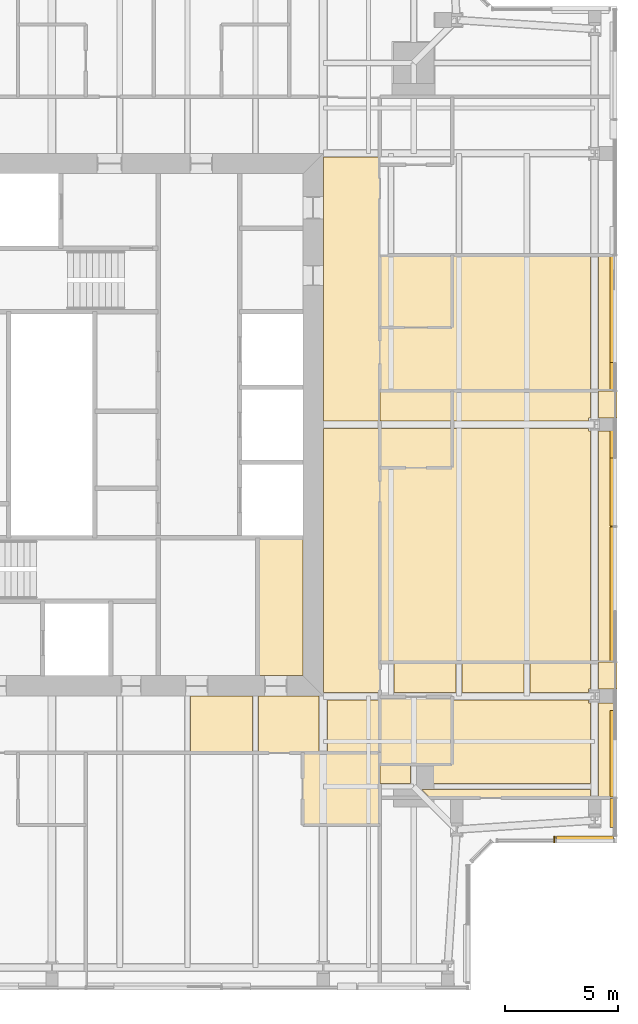
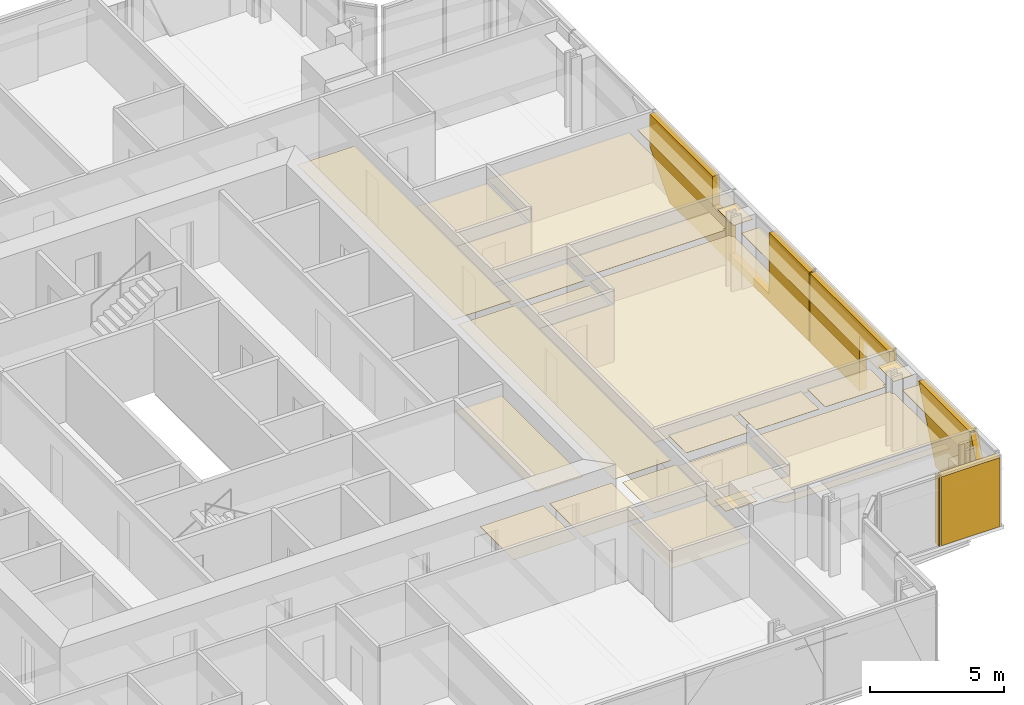
# One storey, part 18 of 20: 32 coverings.
"""IFC4 building model written with IfcOpenShell, lengths in metres."""

from ifc_helpers import new_model, si_unit, direction, frame, origin, place, context, subcontext, project, spatial, polyline, outline, extrude, material, layer, layer_set, type_object, element, save


model = new_model("IFC4")

# Units and contexts
model_context = context("Model", 3, precision=1e-05, world=origin(), true_north=direction((0.0, 1.0)))
body_context = subcontext(model_context, "Body", "Model", "MODEL_VIEW")
ifc_project = project(units=[si_unit("LENGTHUNIT", "METRE"), si_unit("AREAUNIT", "SQUARE_METRE"), si_unit("VOLUMEUNIT", "CUBIC_METRE"), si_unit("PLANEANGLEUNIT", "RADIAN"), si_unit("MASSUNIT", "GRAM", prefix="KILO")], contexts=[model_context])

# Site, building, storey
site_placement = place(None, origin())
site = spatial("IfcSite", under=ifc_project, at=site_placement, CompositionType="ELEMENT")
building_placement = place(site_placement, origin())
building = spatial("IfcBuilding", under=site, at=building_placement, Name="Fenwick Lantern Interchange", CompositionType="ELEMENT")
storey_placement = place(building_placement, frame((0.0, 0.0, 286.60009765625)))
storey = spatial("IfcBuildingStorey", under=building, at=storey_placement, Name="L69", CompositionType="ELEMENT", Elevation=286.60009765625)

# Coverings
ifc_material_1 = material(Name="Granite cladding, warm grey flamed finish, on aluminium carrier frame", Category="masonry")
ifc_layer_1 = layer(ifc_material_1, 0.300048828125)
ifc_layer_set_1 = layer_set([ifc_layer_1], Name="BRACE CASING PANEL 300")
covering_type_1 = type_object("IfcCoveringType", Name="BRACE CASING PANEL 300", PredefinedType="CLADDING", material=ifc_layer_set_1)
covering_1_placement = place(storey_placement, frame((44.45849609375, 6.60009765625, 0.0), z_axis=(0.0, 0.0, 1.0), x_axis=(1.0, 0.0, 0.0)))
element("IfcCovering", 1, at=covering_1_placement, inside=storey, type_object=covering_type_1, Name="Brace casing 04 bay 00a", PredefinedType="CLADDING", context=body_context, shape_type="SweptSolid", body=[
    extrude(outline(polyline([(2.741455078125, 0.0), (2.790771484375, 0.0), (2.790771484375, 3.14990234375), (2.741455078125, 3.14990234375), (2.741455078125, 0.0)])), frame((0.0, 0.2099609375, 0.0), z_axis=(0.0, -1.0, 0.0), x_axis=(1.0, 0.0, 0.0)), (0.0, 0.0, 1.0), 0.300048828125),
])
covering_2_placement = place(storey_placement, frame((44.45849609375, 6.60009765625, 0.0), z_axis=(0.0, 0.0, 1.0), x_axis=(1.0, 0.0, 0.0)))
element("IfcCovering", 2, at=covering_2_placement, inside=storey, type_object=covering_type_1, Name="Brace casing 04 bay 01a", PredefinedType="CLADDING", context=body_context, shape_type="SweptSolid", body=[
    extrude(outline(polyline([(2.850830078125, 0.0), (5.38134765625, 0.0), (5.38134765625, 3.14990234375), (2.850830078125, 3.14990234375), (2.850830078125, 0.0)])), frame((0.0, 0.2099609375, 0.0), z_axis=(0.0, -1.0, 0.0), x_axis=(1.0, 0.0, 0.0)), (0.0, 0.0, 1.0), 0.300048828125),
])
covering_3_placement = place(storey_placement, frame((49.89990234375, 6.60009765625, 0.0), z_axis=(0.0, 0.0, 1.0), x_axis=(0.0, 1.0, 0.0)))
element("IfcCovering", 3, at=covering_3_placement, inside=storey, type_object=covering_type_1, Name="Brace casing 05 bay 00a", PredefinedType="CLADDING", context=body_context, shape_type="SweptSolid", body=[
    extrude(outline(polyline([(0.58984375, 0.0), (1.8701171875, 0.0), (1.8701171875, 3.138427734375), (0.58984375, 0.0)])), frame((0.0, 0.2099609375, 0.0), z_axis=(0.0, -1.0, 0.0), x_axis=(1.0, 0.0, 0.0)), (0.0, 0.0, 1.0), 0.300048828125),
])
covering_4_placement = place(storey_placement, frame((49.89990234375, 6.60009765625, 0.0), z_axis=(0.0, 0.0, 1.0), x_axis=(0.0, 1.0, 0.0)))
element("IfcCovering", 4, at=covering_4_placement, inside=storey, type_object=covering_type_1, Name="Brace casing 05 bay 01a", PredefinedType="CLADDING", context=body_context, shape_type="SweptSolid", body=[
    extrude(outline(polyline([(1.929931640625, 0.0), (4.477783203125, 0.0), (5.7626953125, 3.14990234375), (1.929931640625, 3.14990234375), (1.929931640625, 0.0)])), frame((0.0, 0.2099609375, 0.0), z_axis=(0.0, -1.0, 0.0), x_axis=(1.0, 0.0, 0.0)), (0.0, 0.0, 1.0), 0.300048828125),
])
covering_5_placement = place(storey_placement, frame((49.89990234375, 6.60009765625, 0.0), z_axis=(0.0, 0.0, 1.0), x_axis=(0.0, 1.0, 0.0)))
element("IfcCovering", 5, at=covering_5_placement, inside=storey, type_object=covering_type_1, Name="Brace casing 05 bay 02a", PredefinedType="CLADDING", context=body_context, shape_type="SweptSolid", body=[
    extrude(outline(polyline([(10.179931640625, 0.0), (13.8701171875, 0.0), (13.8701171875, 3.14990234375), (7.929931640625, 3.14990234375), (7.929931640625, 2.5234375), (10.179931640625, 2.5234375), (10.179931640625, 0.0)])), frame((0.0, 0.2099609375, 0.0), z_axis=(0.0, -1.0, 0.0), x_axis=(1.0, 0.0, 0.0)), (0.0, 0.0, 1.0), 0.300048828125),
])
covering_6_placement = place(storey_placement, frame((49.89990234375, 6.60009765625, 0.0), z_axis=(0.0, 0.0, 1.0), x_axis=(0.0, 1.0, 0.0)))
element("IfcCovering", 6, at=covering_6_placement, inside=storey, type_object=covering_type_1, Name="Brace casing 05 bay 03a", PredefinedType="CLADDING", context=body_context, shape_type="SweptSolid", body=[
    extrude(outline(polyline([(13.929931640625, 0.0), (19.8701171875, 0.0), (19.8701171875, 0.357421875), (16.926513671875, 0.357421875), (16.926513671875, 3.14990234375), (13.929931640625, 3.14990234375), (13.929931640625, 0.0)])), frame((0.0, 0.2099609375, 0.0), z_axis=(0.0, -1.0, 0.0), x_axis=(1.0, 0.0, 0.0)), (0.0, 0.0, 1.0), 0.300048828125),
])
covering_7_placement = place(storey_placement, frame((49.89990234375, 6.60009765625, 0.0), z_axis=(0.0, 0.0, 1.0), x_axis=(0.0, 1.0, 0.0)))
element("IfcCovering", 7, at=covering_7_placement, inside=storey, type_object=covering_type_1, Name="Brace casing 05 bay 04a", PredefinedType="CLADDING", context=body_context, shape_type="SweptSolid", body=[
    extrude(outline(polyline([(19.929931640625, 0.0), (24.374267578125, 0.0), (25.8701171875, 1.6806640625), (25.8701171875, 3.14990234375), (21.14501953125, 3.14990234375), (21.14501953125, 1.786376953125), (19.929931640625, 1.786376953125), (19.929931640625, 0.0)])), frame((0.0, 0.2099609375, 0.0), z_axis=(0.0, -1.0, 0.0), x_axis=(1.0, 0.0, 0.0)), (0.0, 0.0, 1.0), 0.300048828125),
])
ifc_material_2 = material(Name="Moisture resistant gypsum board on suspended frame, painted")
ifc_layer_2 = layer(ifc_material_2, 0.014892578125)
ifc_layer_set_2 = layer_set([ifc_layer_2], Name="MOISTURE RESISTANT CEILING 15")
covering_type_2 = type_object("IfcCoveringType", Name="MOISTURE RESISTANT CEILING 15", PredefinedType="CEILING", material=ifc_layer_set_2)
covering_8_placement = place(storey_placement, frame((0.0, 0.0, 2.599853515625)))
element("IfcCovering", 8, at=covering_8_placement, inside=storey, type_object=covering_type_2, Name="Men's WC ceiling", PredefinedType="CEILING", context=body_context, shape_type="SweptSolid", body=[
    extrude(outline(polyline([(34.10009765625, 13.89990234375), (36.10009765625, 13.89990234375), (36.10009765625, 20.0), (34.10009765625, 20.0), (34.10009765625, 13.89990234375)])), origin(), (0.0, 0.0, 1.0), 0.01513671875),
])
covering_9_placement = place(storey_placement, frame((0.0, 0.0, 2.39990234375)))
element("IfcCovering", 9, at=covering_9_placement, inside=storey, type_object=covering_type_2, Name="En-suite 6903 ceiling", PredefinedType="CEILING", context=body_context, shape_type="SweptSolid", body=[
    extrude(outline(polyline([(36.10009765625, 7.300048828125), (39.5, 7.300048828125), (39.5, 10.5), (36.10009765625, 10.5), (36.10009765625, 7.300048828125)])), origin(), (0.0, 0.0, 1.0), 0.014892578125),
])
covering_10_placement = place(storey_placement, frame((0.0, 0.0, 2.39990234375)))
element("IfcCovering", 10, at=covering_10_placement, inside=storey, type_object=covering_type_2, Name="En-suite 6904 ceiling", PredefinedType="CEILING", context=body_context, shape_type="SweptSolid", body=[
    extrude(outline(polyline([(42.699951171875, 9.97509765625), (42.699951171875, 12.97509765625), (39.5, 12.97509765625), (39.5, 9.97509765625), (42.699951171875, 9.97509765625)])), origin(), (0.0, 0.0, 1.0), 0.014892578125),
])
covering_11_placement = place(storey_placement, frame((0.0, 0.0, 2.39990234375)))
element("IfcCovering", 11, at=covering_11_placement, inside=storey, type_object=covering_type_2, Name="En-suite 6905 ceiling", PredefinedType="CEILING", context=body_context, shape_type="SweptSolid", body=[
    extrude(outline(polyline([(42.699951171875, 23.10009765625), (42.699951171875, 24.824951171875), (39.5, 24.824951171875), (39.5, 23.10009765625), (42.699951171875, 23.10009765625)])), origin(), (0.0, 0.0, 1.0), 0.014892578125),
])
covering_12_placement = place(storey_placement, frame((0.0, 0.0, 2.39990234375)))
element("IfcCovering", 12, at=covering_12_placement, inside=storey, type_object=covering_type_2, Name="En-suite 6905 ceiling", PredefinedType="CEILING", context=body_context, shape_type="SweptSolid", body=[
    extrude(outline(polyline([(39.5, 26.5), (39.5, 25.175048828125), (42.699951171875, 25.175048828125), (42.699951171875, 26.5), (39.5, 26.5)])), origin(), (0.0, 0.0, 1.0), 0.014892578125),
])
covering_13_placement = place(storey_placement, frame((0.0, 0.0, 2.39990234375)))
element("IfcCovering", 13, at=covering_13_placement, inside=storey, type_object=covering_type_2, Name="En-suite 6906 ceiling", PredefinedType="CEILING", context=body_context, shape_type="SweptSolid", body=[
    extrude(outline(polyline([(42.699951171875, 29.300048828125), (42.699951171875, 32.5), (39.5, 32.5), (39.5, 29.300048828125), (42.699951171875, 29.300048828125)])), origin(), (0.0, 0.0, 1.0), 0.014892578125),
])
ifc_material_3 = material(Name="Gypsum plasterboard on suspended frame, painted")
ifc_layer_3 = layer(ifc_material_3, 0.014892578125)
ifc_layer_set_3 = layer_set([ifc_layer_3], Name="PLASTERBOARD CEILING 15")
covering_type_3 = type_object("IfcCoveringType", Name="PLASTERBOARD CEILING 15", PredefinedType="CEILING", material=ifc_layer_set_3)
covering_14_placement = place(storey_placement, frame((0.0, 0.0, 2.599853515625)))
element("IfcCovering", 14, at=covering_14_placement, inside=storey, type_object=covering_type_3, Name="Corridor ceiling", PredefinedType="CEILING", context=body_context, shape_type="SweptSolid", body=[
    extrude(outline(polyline([(39.5, 25.175048828125), (39.5, 36.833984375), (37.0, 36.833984375), (37.0, 25.175048828125), (39.5, 25.175048828125)])), origin(), (0.0, 0.0, 1.0), 0.01513671875),
])
covering_15_placement = place(storey_placement, frame((0.0, 0.0, 2.599853515625)))
element("IfcCovering", 15, at=covering_15_placement, inside=storey, type_object=covering_type_3, Name="Corridor ceiling", PredefinedType="CEILING", context=body_context, shape_type="SweptSolid", body=[
    extrude(outline(polyline([(39.5, 13.166015625), (39.5, 24.824951171875), (37.0, 24.824951171875), (37.0, 13.166015625), (39.5, 13.166015625)])), origin(), (0.0, 0.0, 1.0), 0.01513671875),
])
covering_16_placement = place(storey_placement, frame((0.0, 0.0, 2.599853515625)))
element("IfcCovering", 16, at=covering_16_placement, inside=storey, type_object=covering_type_3, Name="Corridor ceiling", PredefinedType="CEILING", context=body_context, shape_type="SweptSolid", body=[
    extrude(outline(polyline([(31.134521484375, 10.5), (33.865478515625, 10.5), (33.865478515625, 13.0), (31.134521484375, 13.0), (31.134521484375, 10.5)])), origin(), (0.0, 0.0, 1.0), 0.01513671875),
])
covering_17_placement = place(storey_placement, frame((0.0, 0.0, 2.599853515625)))
element("IfcCovering", 17, at=covering_17_placement, inside=storey, type_object=covering_type_3, Name="Corridor ceiling", PredefinedType="CEILING", context=body_context, shape_type="SweptSolid", body=[
    extrude(outline(polyline([(34.134521484375, 10.5), (36.816162109375, 10.5), (36.816162109375, 13.0), (34.134521484375, 13.0), (34.134521484375, 10.5)])), origin(), (0.0, 0.0, 1.0), 0.01513671875),
])
covering_18_placement = place(storey_placement, frame((0.0, 0.0, 2.599853515625)))
element("IfcCovering", 18, at=covering_18_placement, inside=storey, type_object=covering_type_3, Name="Corridor ceiling", PredefinedType="CEILING", context=body_context, shape_type="SweptSolid", body=[
    extrude(outline(polyline([(39.5, 10.5), (39.5, 12.833984375), (37.183837890625, 12.833984375), (37.183837890625, 10.5), (39.5, 10.5)])), origin(), (0.0, 0.0, 1.0), 0.01513671875),
])
covering_19_placement = place(storey_placement, frame((0.0, 0.0, 2.699951171875)))
element("IfcCovering", 19, at=covering_19_placement, inside=storey, type_object=covering_type_3, Name="Guest suite 6904 bedroom ceiling", PredefinedType="CEILING", context=body_context, shape_type="SweptSolid", body=[
    extrude(outline(polyline([(48.72900390625, 12.6845703125), (48.72900390625, 12.833984375), (42.699951171875, 12.833984375), (42.699951171875, 9.97509765625), (41.134521484375, 9.97509765625), (41.134521484375, 9.134521484375), (48.82763671875, 9.134521484375), (48.82763671875, 12.6845703125), (48.72900390625, 12.6845703125)])), origin(), (0.0, 0.0, 1.0), 0.014892578125),
])
covering_20_placement = place(storey_placement, frame((0.0, 0.0, 2.699951171875)))
element("IfcCovering", 20, at=covering_20_placement, inside=storey, type_object=covering_type_3, Name="Guest suite 6904 bedroom ceiling", PredefinedType="CEILING", context=body_context, shape_type="SweptSolid", body=[
    extrude(outline(polyline([(42.865478515625, 14.5), (40.134521484375, 14.5), (40.134521484375, 13.166015625), (42.865478515625, 13.166015625), (42.865478515625, 14.5)])), origin(), (0.0, 0.0, 1.0), 0.014892578125),
])
covering_21_placement = place(storey_placement, frame((0.0, 0.0, 2.699951171875)))
element("IfcCovering", 21, at=covering_21_placement, inside=storey, type_object=covering_type_3, Name="Guest suite 6904 bedroom ceiling", PredefinedType="CEILING", context=body_context, shape_type="SweptSolid", body=[
    extrude(outline(polyline([(45.865478515625, 14.5), (43.134521484375, 14.5), (43.134521484375, 13.166015625), (45.865478515625, 13.166015625), (45.865478515625, 14.5)])), origin(), (0.0, 0.0, 1.0), 0.014892578125),
])
covering_22_placement = place(storey_placement, frame((0.0, 0.0, 2.699951171875)))
element("IfcCovering", 22, at=covering_22_placement, inside=storey, type_object=covering_type_3, Name="Guest suite 6904 bedroom ceiling", PredefinedType="CEILING", context=body_context, shape_type="SweptSolid", body=[
    extrude(outline(polyline([(48.72900390625, 13.3154296875), (48.82763671875, 13.3154296875), (48.82763671875, 14.5), (46.134521484375, 14.5), (46.134521484375, 13.166015625), (48.72900390625, 13.166015625), (48.72900390625, 13.3154296875)])), origin(), (0.0, 0.0, 1.0), 0.014892578125),
])
covering_23_placement = place(storey_placement, frame((0.0, 0.0, 2.699951171875)))
element("IfcCovering", 23, at=covering_23_placement, inside=storey, type_object=covering_type_3, Name="Guest suite 6904 bedroom ceiling", PredefinedType="CEILING", context=body_context, shape_type="SweptSolid", body=[
    extrude(outline(polyline([(50.0, 12.6845703125), (49.17236328125, 12.6845703125), (49.17236328125, 8.5), (50.0, 8.5), (50.0, 12.6845703125)])), origin(), (0.0, 0.0, 1.0), 0.014892578125),
])
covering_24_placement = place(storey_placement, frame((0.0, 0.0, 2.699951171875)))
element("IfcCovering", 24, at=covering_24_placement, inside=storey, type_object=covering_type_3, Name="Guest suite 6904 bedroom ceiling", PredefinedType="CEILING", context=body_context, shape_type="SweptSolid", body=[
    extrude(outline(polyline([(41.716796875, 8.5), (48.82763671875, 8.5), (48.82763671875, 8.865478515625), (41.351318359375, 8.865478515625), (41.716796875, 8.5)])), origin(), (0.0, 0.0, 1.0), 0.014892578125),
])
covering_25_placement = place(storey_placement, frame((0.0, 0.0, 2.699951171875)))
element("IfcCovering", 25, at=covering_25_placement, inside=storey, type_object=covering_type_3, Name="Guest suite 6904 bedroom ceiling", PredefinedType="CEILING", context=body_context, shape_type="SweptSolid", body=[
    extrude(outline(polyline([(39.5, 9.97509765625), (39.5, 9.134521484375), (40.865478515625, 9.134521484375), (40.865478515625, 9.97509765625), (39.5, 9.97509765625)])), origin(), (0.0, 0.0, 1.0), 0.014892578125),
])
covering_26_placement = place(storey_placement, frame((0.0, 0.0, 2.699951171875)))
element("IfcCovering", 26, at=covering_26_placement, inside=storey, type_object=covering_type_3, Name="Guest suite 6904 bedroom ceiling", PredefinedType="CEILING", context=body_context, shape_type="SweptSolid", body=[
    extrude(outline(polyline([(50.0, 13.3154296875), (50.0, 14.5), (49.17236328125, 14.5), (49.17236328125, 13.3154296875), (50.0, 13.3154296875)])), origin(), (0.0, 0.0, 1.0), 0.014892578125),
])
covering_27_placement = place(storey_placement, frame((0.0, 0.0, 2.57275390625)))
element("IfcCovering", 27, at=covering_27_placement, inside=storey, type_object=covering_type_3, Name="Guest suite 6905 ceiling", PredefinedType="CEILING", context=body_context, shape_type="SweptSolid", body=[
    extrude(outline(polyline([(48.73779296875, 24.71240234375), (48.73779296875, 24.824951171875), (42.699951171875, 24.824951171875), (42.699951171875, 23.10009765625), (39.5, 23.10009765625), (39.5, 14.5), (48.82763671875, 14.5), (48.82763671875, 24.71240234375), (48.73779296875, 24.71240234375)])), origin(), (0.0, 0.0, 1.0), 0.014892578125),
])
covering_28_placement = place(storey_placement, frame((0.0, 0.0, 2.57275390625)))
element("IfcCovering", 28, at=covering_28_placement, inside=storey, type_object=covering_type_3, Name="Guest suite 6905 ceiling", PredefinedType="CEILING", context=body_context, shape_type="SweptSolid", body=[
    extrude(outline(polyline([(50.0, 24.71240234375), (49.17236328125, 24.71240234375), (49.17236328125, 14.5), (50.0, 14.5), (50.0, 24.71240234375)])), origin(), (0.0, 0.0, 1.0), 0.014892578125),
])
covering_29_placement = place(storey_placement, frame((0.0, 0.0, 2.57275390625)))
element("IfcCovering", 29, at=covering_29_placement, inside=storey, type_object=covering_type_3, Name="Guest suite 6905 ceiling", PredefinedType="CEILING", context=body_context, shape_type="SweptSolid", body=[
    extrude(outline(polyline([(48.73779296875, 25.28759765625), (48.82763671875, 25.28759765625), (48.82763671875, 26.5), (42.699951171875, 26.5), (42.699951171875, 25.175048828125), (48.73779296875, 25.175048828125), (48.73779296875, 25.28759765625)])), origin(), (0.0, 0.0, 1.0), 0.014892578125),
])
covering_30_placement = place(storey_placement, frame((0.0, 0.0, 2.57275390625)))
element("IfcCovering", 30, at=covering_30_placement, inside=storey, type_object=covering_type_3, Name="Guest suite 6905 ceiling", PredefinedType="CEILING", context=body_context, shape_type="SweptSolid", body=[
    extrude(outline(polyline([(49.17236328125, 25.28759765625), (50.0, 25.28759765625), (50.0, 26.5), (49.17236328125, 26.5), (49.17236328125, 25.28759765625)])), origin(), (0.0, 0.0, 1.0), 0.014892578125),
])
covering_31_placement = place(storey_placement, frame((0.0, 0.0, 2.57275390625)))
element("IfcCovering", 31, at=covering_31_placement, inside=storey, type_object=covering_type_3, Name="Guest room 6906 ceiling", PredefinedType="CEILING", context=body_context, shape_type="SweptSolid", body=[
    extrude(outline(polyline([(39.5, 26.5), (48.82763671875, 26.5), (48.82763671875, 32.5), (42.699951171875, 32.5), (42.699951171875, 29.300048828125), (39.5, 29.300048828125), (39.5, 26.5)])), origin(), (0.0, 0.0, 1.0), 0.014892578125),
])
covering_32_placement = place(storey_placement, frame((0.0, 0.0, 2.57275390625)))
element("IfcCovering", 32, at=covering_32_placement, inside=storey, type_object=covering_type_3, Name="Guest room 6906 ceiling", PredefinedType="CEILING", context=body_context, shape_type="SweptSolid", body=[
    extrude(outline(polyline([(50.0, 26.5), (50.0, 32.5), (49.17236328125, 32.5), (49.17236328125, 26.5), (50.0, 26.5)])), origin(), (0.0, 0.0, 1.0), 0.014892578125),
])

save(model, "model.ifc")
